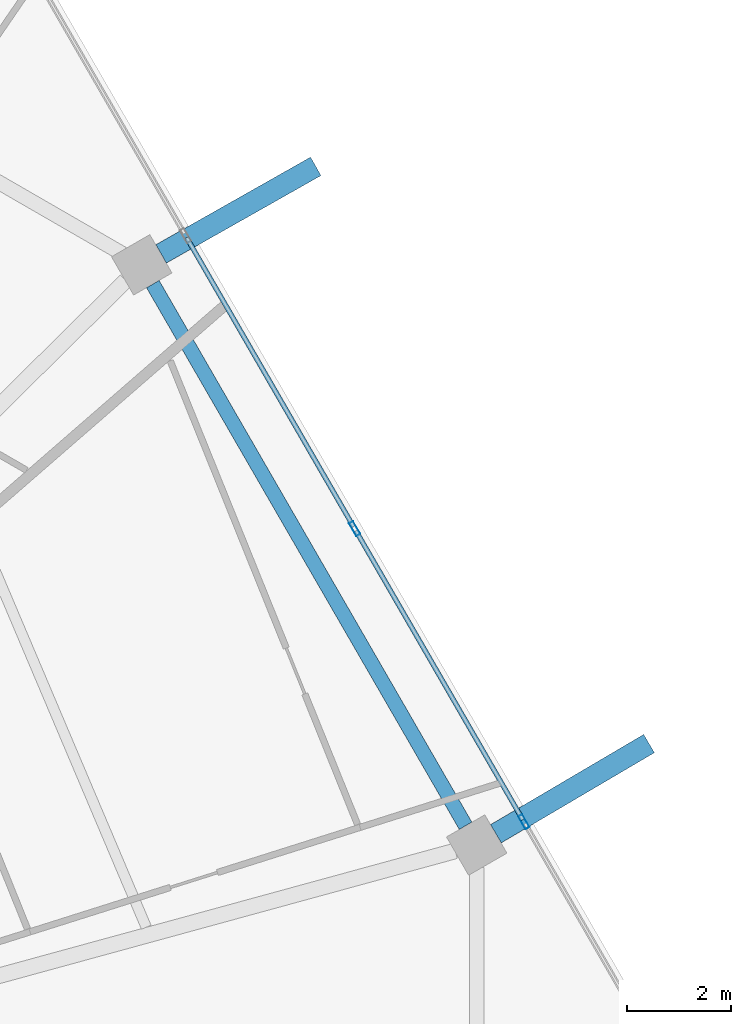
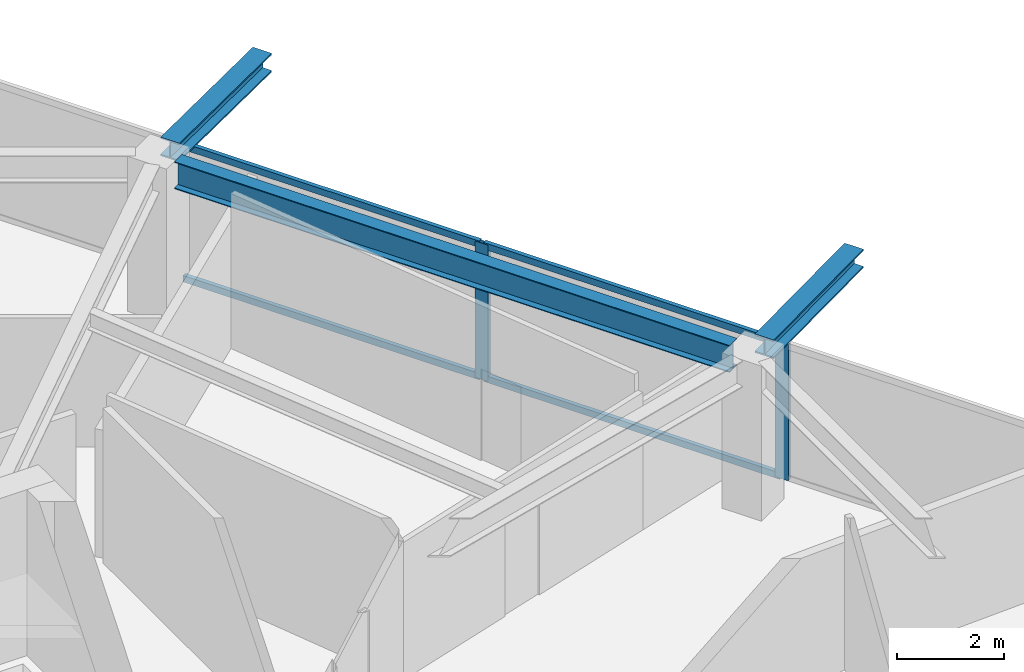
# One storey, part 15 of 26: 6 members, 3 beams, 1 element without a shape of its own.
"""IFC4 building model written with IfcOpenShell, lengths in metres."""

from ifc_helpers import new_model, si_unit, direction, frame, origin, origin_2d, place, context, subcontext, project, spatial, hollow_rectangle, i_section, extrude, material, material_profile, profile_set, type_object, element, aggregate, save


model = new_model("IFC4")

# Units and contexts
model_context = context("Model", 3, precision=1e-05, world=origin(), true_north=direction((0.0, 1.0)))
body_context = subcontext(model_context, "Body", "Model", "MODEL_VIEW")
ifc_project = project(units=[si_unit("LENGTHUNIT", "METRE"), si_unit("AREAUNIT", "SQUARE_METRE"), si_unit("VOLUMEUNIT", "CUBIC_METRE"), si_unit("PLANEANGLEUNIT", "RADIAN"), si_unit("MASSUNIT", "GRAM", prefix="KILO")], contexts=[model_context])

# Site, building, storey
site_placement = place(None, origin())
site = spatial("IfcSite", under=ifc_project, at=site_placement, CompositionType="ELEMENT")
building_placement = place(site_placement, origin())
building = spatial("IfcBuilding", under=site, at=building_placement, Name="Zuhravey Tower", CompositionType="ELEMENT")
storey_placement = place(building_placement, frame((0.0, 0.0, 280.60009765625)))
storey = spatial("IfcBuildingStorey", under=building, at=storey_placement, Name="L71", CompositionType="ELEMENT", Elevation=280.60009765625)

# Curtain wall, members
ifc_material_1 = material(Name="Thermally broken anodised aluminium", Category="aluminium")
curtain_wall_type = type_object("IfcCurtainWallType", Name="Zone 3-4 High-Rise Curtain Wall CW4", PredefinedType="NOTDEFINED", material=ifc_material_1)
curtain_wall_placement = place(storey_placement, origin())
curtain_wall = element("IfcCurtainWall", 1, at=curtain_wall_placement, inside=storey, type_object=curtain_wall_type, Name="L71 CW4 CW-L71-F1-1", PredefinedType="NOTDEFINED")
ifc_material_2 = material(Name="Anodised aluminium", Category="aluminium")
ifc_material_profile_1 = material_profile(ifc_material_2, hollow_rectangle(XDim=0.090087890625, YDim=0.284912109375, WallThickness=0.0048828125, at=origin_2d()), Name="ALU-RHS-90x285x5")
ifc_profile_set_1 = profile_set([ifc_material_profile_1], Name="Anodised aluminium")
member_type_1 = type_object("IfcMemberType", Name="Curtain-Wall Mullion 90x180", PredefinedType="MULLION", material=ifc_profile_set_1)
member_1_placement = place(storey_placement, frame((58.138671875, 44.78173828125, 0.0), z_axis=(0.0, 0.0, 1.0), x_axis=(0.866024851021, 0.500000957414, 0.0)))
member_1 = element("IfcMember", 2, at=member_1_placement, type_object=member_type_1, Name="CW4 mullion 3", PredefinedType="MULLION", context=body_context, shape_type="SweptSolid", body=[
    extrude(hollow_rectangle(XDim=0.090087890625, YDim=0.284912109375, WallThickness=0.0048828125, at=origin_2d()), origin(), (0.0, 0.0, 1.0), 3.121826171875),
])
member_2_placement = place(storey_placement, frame((61.391845703125, 39.147216796875, 0.0), z_axis=(0.0, 0.0, 1.0), x_axis=(0.866024851021, 0.500000957414, 0.0)))
member_2 = element("IfcMember", 3, at=member_2_placement, type_object=member_type_1, Name="CW4 mullion 4", PredefinedType="MULLION", context=body_context, shape_type="SweptSolid", body=[
    extrude(hollow_rectangle(XDim=0.090087890625, YDim=0.284912109375, WallThickness=0.0048828125, at=origin_2d()), origin(), (0.0, 0.0, 1.0), 3.121826171875),
])
ifc_material_profile_2 = material_profile(ifc_material_2, hollow_rectangle(XDim=0.090087890625, YDim=0.14990234375, WallThickness=0.0048828125, at=origin_2d()), Name="ALU-RHS-90x150x5")
ifc_profile_set_2 = profile_set([ifc_material_profile_2], Name="Anodised aluminium")
member_type_2 = type_object("IfcMemberType", Name="Curtain-Wall Transom 90x150", PredefinedType="USERDEFINED", material=ifc_profile_set_2)
member_3_placement = place(storey_placement, frame((54.907958984375, 50.37744140625, 0.044921875), z_axis=(0.500014493347, -0.866017035885, 0.0), x_axis=(0.866017035885, 0.500014493347, 0.0)))
member_3 = element("IfcMember", 4, at=member_3_placement, type_object=member_type_2, Name="CW4 transom 2.1", ObjectType="TRANSOM", PredefinedType="USERDEFINED", context=body_context, shape_type="SweptSolid", body=[
    extrude(hollow_rectangle(XDim=0.090087890625, YDim=0.14990234375, WallThickness=0.0048828125, at=origin_2d()), origin(), (0.0, 0.0, 1.0), 6.416259765625),
])
member_4_placement = place(storey_placement, frame((54.907958984375, 50.37744140625, 3.076904296875), z_axis=(0.500014493347, -0.866017035885, 0.0), x_axis=(0.866017035885, 0.500014493347, 0.0)))
member_4 = element("IfcMember", 5, at=member_4_placement, type_object=member_type_2, Name="CW4 transom 2.2", ObjectType="TRANSOM", PredefinedType="USERDEFINED", context=body_context, shape_type="SweptSolid", body=[
    extrude(hollow_rectangle(XDim=0.090087890625, YDim=0.14990234375, WallThickness=0.0048828125, at=origin_2d()), origin(), (0.0, 0.0, 1.0), 6.416259765625),
])
member_5_placement = place(storey_placement, frame((58.1611328125, 44.742919921875, 0.044921875), z_axis=(0.499998017366, -0.866026548456, 0.0), x_axis=(0.866026548456, 0.499998017366, 0.0)))
member_5 = element("IfcMember", 6, at=member_5_placement, type_object=member_type_2, Name="CW4 transom 3.1", ObjectType="TRANSOM", PredefinedType="USERDEFINED", context=body_context, shape_type="SweptSolid", body=[
    extrude(hollow_rectangle(XDim=0.090087890625, YDim=0.14990234375, WallThickness=0.0048828125, at=origin_2d()), origin(), (0.0, 0.0, 1.0), 6.41650390625),
])
member_6_placement = place(storey_placement, frame((58.1611328125, 44.742919921875, 3.076904296875), z_axis=(0.499998017366, -0.866026548456, 0.0), x_axis=(0.866026548456, 0.499998017366, 0.0)))
member_6 = element("IfcMember", 7, at=member_6_placement, type_object=member_type_2, Name="CW4 transom 3.2", ObjectType="TRANSOM", PredefinedType="USERDEFINED", context=body_context, shape_type="SweptSolid", body=[
    extrude(hollow_rectangle(XDim=0.090087890625, YDim=0.14990234375, WallThickness=0.0048828125, at=origin_2d()), origin(), (0.0, 0.0, 1.0), 6.41650390625),
])
aggregate(curtain_wall, [member_1, member_2, member_3, member_4, member_5, member_6])

# Beams
ifc_material_3 = material(Name="Steel SM460", Category="steel")
ifc_material_profile_3 = material_profile(ifc_material_3, i_section(OverallWidth=0.406982421875, OverallDepth=0.427978515625, WebThickness=0.02001953125, FlangeThickness=0.034912109375, at=origin_2d()), Name="H-428x407x20x35")
ifc_profile_set_3 = profile_set([ifc_material_profile_3], Name="Steel SM460")
beam_type_1 = type_object("IfcBeamType", Name="Exoskeleton Node Tie Beam H428x407", PredefinedType="BEAM", material=ifc_profile_set_3)
beam_1_placement = place(storey_placement, frame((60.854248046875, 38.91650390625, 3.3359375), z_axis=(0.861695278897, 0.507426099375, 0.0), x_axis=(-0.507426099375, 0.861695278897, 0.0)))
element("IfcBeam", 8, at=beam_1_placement, inside=storey, type_object=beam_type_1, Name="L71 Exoskeleton Node Tie NT1-01", PredefinedType="BEAM", context=body_context, shape_type="SweptSolid", body=[
    extrude(i_section(OverallWidth=0.406982421875, OverallDepth=0.427978515625, WebThickness=0.02001953125, FlangeThickness=0.034912109375, at=origin_2d()), origin(), (0.0, 0.0, 1.0), 3.416015625),
])
beam_2_placement = place(storey_placement, frame((54.4169921875, 50.06591796875, 3.3359375), z_axis=(0.870293846877, 0.492532861938, 0.0), x_axis=(-0.492532861938, 0.870293846877, 0.0)))
element("IfcBeam", 9, at=beam_2_placement, inside=storey, type_object=beam_type_1, Name="L71 Exoskeleton Node Tie NT1-02", PredefinedType="BEAM", context=body_context, shape_type="SweptSolid", body=[
    extrude(i_section(OverallWidth=0.406982421875, OverallDepth=0.427978515625, WebThickness=0.02001953125, FlangeThickness=0.034912109375, at=origin_2d()), origin(), (0.0, 0.0, 1.0), 3.416259765625),
])
ifc_material_4 = material(Name="Steel SM355", Category="steel")
ifc_material_profile_4 = material_profile(ifc_material_4, i_section(OverallWidth=0.280029296875, OverallDepth=0.6201171875, WebThickness=0.011962890625, FlangeThickness=0.02001953125, at=origin_2d()), Name="H-620x280x12x20")
ifc_profile_set_4 = profile_set([ifc_material_profile_4], Name="Steel SM355")
beam_type_2 = type_object("IfcBeamType", Name="Perimeter Ring Beam H620x280", PredefinedType="BEAM", material=ifc_profile_set_4)
beam_3_placement = place(storey_placement, frame((60.2705078125, 39.069580078125, 3.239990234375), z_axis=(-0.500005971936, 0.866021955858, 0.0), x_axis=(-0.866021955858, -0.500005971936, 0.0)))
element("IfcBeam", 10, at=beam_3_placement, inside=storey, type_object=beam_type_2, Name="L71 PB3 BM-L71-PB-01", PredefinedType="BEAM", context=body_context, shape_type="SweptSolid", body=[
    extrude(i_section(OverallWidth=0.280029296875, OverallDepth=0.6201171875, WebThickness=0.011962890625, FlangeThickness=0.02001953125, at=origin_2d()), origin(), (0.0, 0.0, 1.0), 12.025634765625),
])

save(model, "model.ifc")
